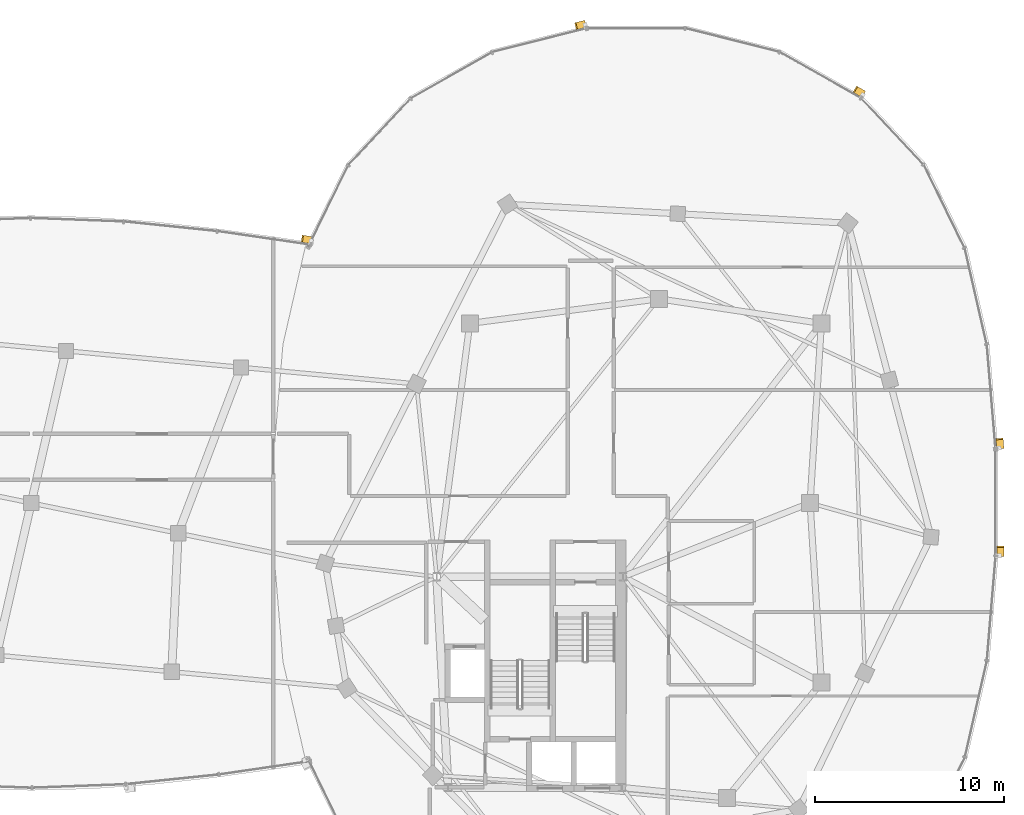
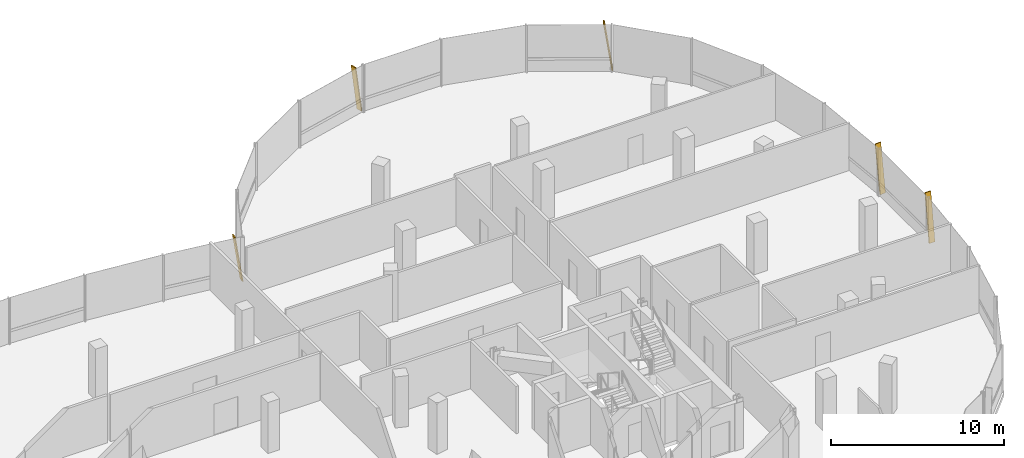
# One storey, part 25 of 25: 5 shading devices.
"""IFC4 building model written with IfcOpenShell, lengths in metres."""

from ifc_helpers import new_model, si_unit, direction, frame, origin, origin_2d, place, context, subcontext, project, spatial, rectangle, extrude, material, material_profile, profile_set, type_object, element, save


model = new_model("IFC4")

# Units and contexts
model_context = context("Model", 3, precision=1e-05, world=origin(), true_north=direction((0.0, 1.0)))
body_context = subcontext(model_context, "Body", "Model", "MODEL_VIEW")
ifc_project = project(units=[si_unit("LENGTHUNIT", "METRE"), si_unit("AREAUNIT", "SQUARE_METRE"), si_unit("VOLUMEUNIT", "CUBIC_METRE"), si_unit("PLANEANGLEUNIT", "RADIAN"), si_unit("MASSUNIT", "GRAM", prefix="KILO"), si_unit("THERMODYNAMICTEMPERATUREUNIT", "KELVIN"), si_unit("POWERUNIT", "WATT")], contexts=[model_context])

# Site, building, storey
site_placement = place(None, origin())
site = spatial("IfcSite", under=ifc_project, at=site_placement, CompositionType="ELEMENT")
building_placement = place(site_placement, origin())
building = spatial("IfcBuilding", under=site, at=building_placement, Name="Cundina Bronze Exchange", CompositionType="ELEMENT")
storey_placement = place(building_placement, frame((0.0, 0.0, 250.39990234375)))
storey = spatial("IfcBuildingStorey", under=building, at=storey_placement, Name="L66", CompositionType="ELEMENT", Elevation=250.39990234375)

# Shading devices
ifc_material = material(Name="Anodised Bronze Aluminium 6063-T6", Category="aluminium")
ifc_material_profile = material_profile(ifc_material, rectangle(XDim=0.070068359375, YDim=0.3798828125, at=origin_2d()), Name="FIN70X380", Category="aluminium")
ifc_profile_set = profile_set([ifc_material_profile], Name="Anodised Bronze Aluminium 6063-T6")
shading_device_type = type_object("IfcShadingDeviceType", Name="SHD-FIN-BRZ380", PredefinedType="USERDEFINED", material=ifc_profile_set)
for number, where, z_axis, x_axis, name in (
    (1, (51.26416015625, 2.90625, 0.02001953125), (-0.012006555776, 0.143419772964, 0.98958911238), (0.082555834947, -0.986139516224, 0.143921466983), "L66 Diagonal Bronze Solar Fin 1"),
    (2, (44.0126953125, 21.63720703125, 0.02001953125), (-0.125189514072, 0.071087145125, 0.989582843103), (0.860526986551, -0.488638423358, 0.143964567292), "L66 Diagonal Bronze Solar Fin 5"),
    (3, (29.290771484375, 25.343505859375, 0.02001953125), (-0.139611891367, -0.03514090606, 0.989582556693), (0.959650042543, 0.24154799183, 0.143966536007), "L66 Diagonal Bronze Solar Fin 1"),
    (4, (51.26904296875, -2.79150390625, 0.02001953125), (0.0, 0.143932024572, 0.989587576874), (0.0, -0.989587576874, 0.143932024572), "L66 Diagonal Bronze Solar Fin 5"),
):
    element("IfcShadingDevice", number, at=place(storey_placement, frame(where, z_axis=z_axis, x_axis=x_axis)), inside=storey, type_object=shading_device_type, Name=name, ObjectType="FIN", PredefinedType="USERDEFINED", context=body_context, shape_type="SweptSolid", body=[
        extrude(rectangle(XDim=0.070068359375, YDim=0.3798828125, at=origin_2d()), origin(), (0.0, 0.0, 1.0), 3.334716796875),
    ])
shading_device_placement = place(storey_placement, frame((14.8154296875, 13.90625, 0.02001953125), z_axis=(-0.145051508968, 0.021168873868, 0.989197623595), x_axis=(0.978828704224, -0.142850643371, 0.1465880673)))
element("IfcShadingDevice", 5, at=shading_device_placement, inside=storey, type_object=shading_device_type, Name="L66 Diagonal Bronze Solar Fin 1", ObjectType="FIN", PredefinedType="USERDEFINED", context=body_context, shape_type="SweptSolid", body=[
    extrude(rectangle(XDim=0.070068359375, YDim=0.3798828125, at=origin_2d()), origin(), (0.0, 0.0, 1.0), 3.275390625),
])

save(model, "model.ifc")
